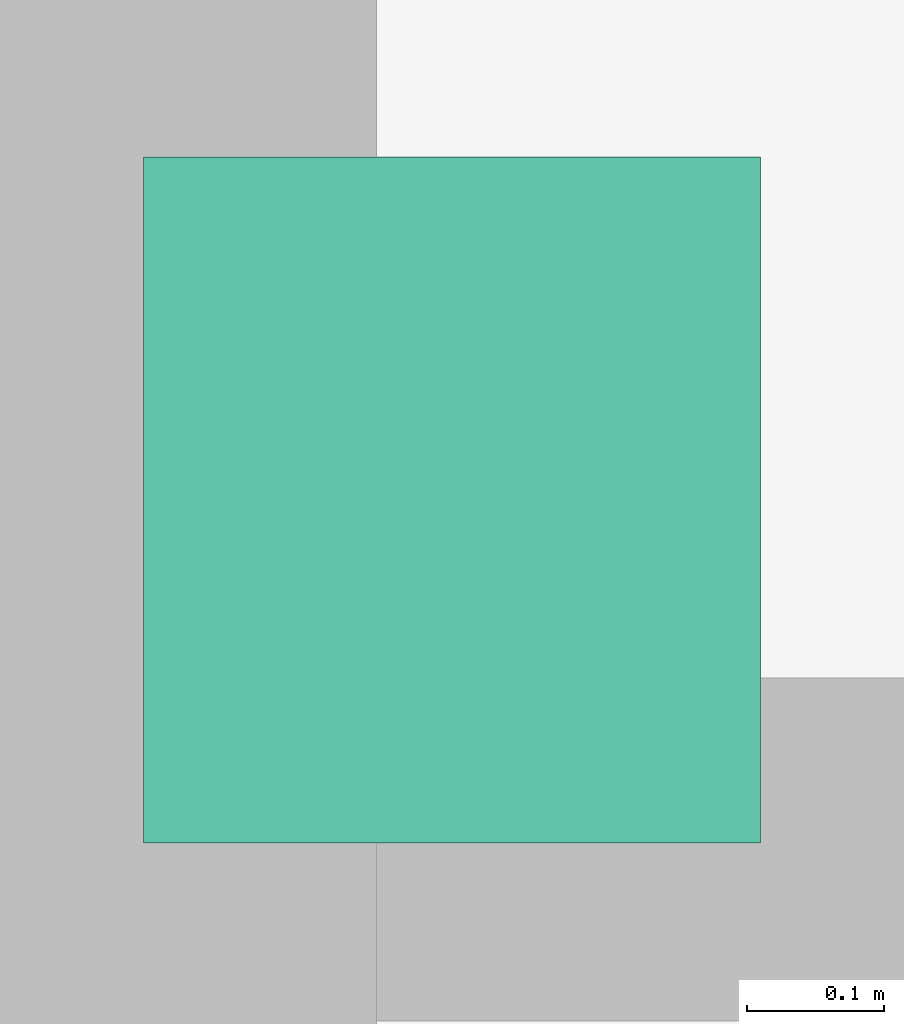
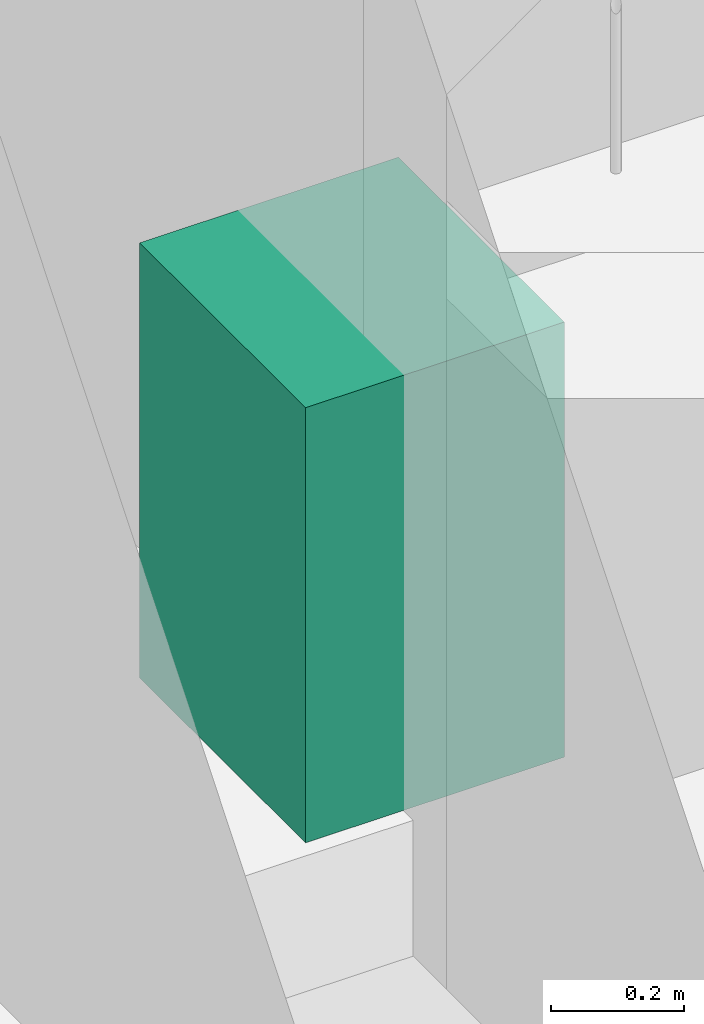
# One storey, part 25 of 26: 1 sanitary terminal.
"""IFC4 building model written with IfcOpenShell, lengths in metres."""

import ifcopenshell
import ifcopenshell.guid

model = None  # the IFC model being written
_history = None  # IfcOwnerHistory: only IFC2X3 demands one
_inside = {}  # id of a spatial element -> (the spatial element, [elements in it])
_under = {}  # id of a project, library or spatial element -> (it, [spatial elements below it])
_declared = {}  # id of a project -> (the project, [libraries it declares])
_typed = {}  # id of a type object -> (the type object, [elements of that type])
_made_of = {}  # id of a material, layer set ... -> (it, [elements and type objects made of it])


def new_model(schema):
    """Start an empty IFC model of exactly this schema.

    Asked for "IFC4X3", IfcOpenShell would pick the latest addendum, in which some entities
    have other attributes; the version numbers below select the first issue.
    IFC2X3 requires an IfcOwnerHistory on every rooted entity: one is made here for all.
    """
    global model, _history
    if schema == "IFC4X3":
        model = ifcopenshell.file(schema_version=(4, 3, 0, 0))
    else:
        model = ifcopenshell.file(schema=schema)
    _inside.clear()
    _under.clear()
    _declared.clear()
    _typed.clear()
    _made_of.clear()
    _history = None
    if model.schema == "IFC2X3":
        org = make("IfcOrganization", Name="unknown")
        user = make(
            "IfcPersonAndOrganization",
            ThePerson=make("IfcPerson", FamilyName="unknown"),
            TheOrganization=org,
        )
        app = make(
            "IfcApplication",
            ApplicationDeveloper=org,
            Version="unknown",
            ApplicationFullName="unknown",
            ApplicationIdentifier="unknown",
        )
        _history = make(
            "IfcOwnerHistory",
            OwningUser=user,
            OwningApplication=app,
            ChangeAction="ADDED",
            CreationDate=0,
        )
    return model


def make(cls, **values):
    """One entity of the class cls with the attributes given. An attribute that is None is left unset."""
    return model.create_entity(
        cls, **{name: value for name, value in values.items() if value is not None}
    )


def rooted(cls, **values):
    """An entity with a GlobalId (a new one), such as an element, a storey or a relation."""
    return make(cls, GlobalId=ifcopenshell.guid.new(), OwnerHistory=_history, **values)


def si_unit(unit_type, name, prefix=None):
    """IfcSIUnit, for example si_unit("LENGTHUNIT", "METRE", prefix="MILLI")."""
    return make("IfcSIUnit", UnitType=unit_type, Prefix=prefix, Name=name)


def assignment(units):
    """IfcUnitAssignment: the units of a project."""
    return None if units is None else make("IfcUnitAssignment", Units=units)


def point(xyz):
    """IfcCartesianPoint."""
    return None if xyz is None else make("IfcCartesianPoint", Coordinates=xyz)


def direction(xyz):
    """IfcDirection."""
    return None if xyz is None else make("IfcDirection", DirectionRatios=xyz)


def frame(location, z_axis=None, x_axis=None):
    """IfcAxis2Placement3D, a coordinate frame: its origin and axes. An axis left out is left unset."""
    return make(
        "IfcAxis2Placement3D",
        Location=point(location),
        Axis=direction(z_axis),
        RefDirection=direction(x_axis),
    )


def frame_2d(location, x_axis=None):
    """IfcAxis2Placement2D, a coordinate frame in the plane: its origin and x axis."""
    return make(
        "IfcAxis2Placement2D", Location=point(location), RefDirection=direction(x_axis)
    )


def origin():
    """The frame at (0, 0, 0) with its axes left unset."""
    return frame((0.0, 0.0, 0.0))


def origin_2d():
    """The frame at (0, 0) in the plane with its x axis left unset."""
    return frame_2d((0.0, 0.0))


def place(relative_to, where):
    """IfcLocalPlacement: puts the frame where relative to a parent placement (None: the world)."""
    return make(
        "IfcLocalPlacement", PlacementRelTo=relative_to, RelativePlacement=where
    )


def context(
    kind, dimensions, precision=None, world=None, true_north=None, identifier=None
):
    """IfcGeometricRepresentationContext, for example the 3D "Model" context."""
    return make(
        "IfcGeometricRepresentationContext",
        ContextIdentifier=identifier,
        ContextType=kind,
        CoordinateSpaceDimension=dimensions,
        Precision=precision,
        WorldCoordinateSystem=world,
        TrueNorth=true_north,
    )


def subcontext(parent, identifier, kind, view, scale=None):
    """IfcGeometricRepresentationSubContext, for example "Body" below "Model"."""
    return make(
        "IfcGeometricRepresentationSubContext",
        ContextIdentifier=identifier,
        ContextType=kind,
        ParentContext=parent,
        TargetScale=scale,
        TargetView=view,
    )


def project(units=None, contexts=None):
    """IfcProject with its units and contexts."""
    return rooted(
        "IfcProject",
        Name="project",
        RepresentationContexts=contexts,
        UnitsInContext=assignment(units),
    )


def spatial(cls, under=None, at=None, **own):
    """A site, building, storey or space (cls), placed at a placement, below another one or the project."""
    s = rooted(cls, ObjectPlacement=at, **own)
    if under is not None:
        _under.setdefault(under.id(), (under, []))[1].append(s)
    return s


def profile(cls, at=None, kind="AREA", **sizes):
    """A parametric profile (cls). Its sizes go by their IFC names, for example OverallWidth=200.0."""
    return make(cls, ProfileType=kind, Position=at, **sizes)


def rectangle(**sizes):
    """IfcRectangleProfileDef."""
    return profile("IfcRectangleProfileDef", **sizes)


def extrude(swept, where, along, depth):
    """IfcExtrudedAreaSolid: the profile swept, set in the frame where, extruded along a direction by depth."""
    return make(
        "IfcExtrudedAreaSolid",
        SweptArea=swept,
        Position=where,
        ExtrudedDirection=direction(along),
        Depth=depth,
    )


def shape(context_of_items, identifier, shape_type, items):
    """IfcShapeRepresentation: the items that make up one representation, for example the "Body"."""
    return make(
        "IfcShapeRepresentation",
        ContextOfItems=context_of_items,
        RepresentationIdentifier=identifier,
        RepresentationType=shape_type,
        Items=items,
    )


def material(Name=None, Category=None):
    """IfcMaterial."""
    return make("IfcMaterial", Name=Name, Category=Category)


def made_of(thing, what):
    """Note that an element or type object is made of a material, layer set ...; save() writes the relation."""
    if what is not None:
        _made_of.setdefault(what.id(), (what, []))[1].append(thing)
    return thing


def type_object(cls, material=None, **own):
    """A type object (cls), such as IfcWallType, which elements share."""
    return made_of(rooted(cls, **own), material)


def element(
    cls,
    number,
    at=None,
    inside=None,
    cuts=None,
    type_object=None,
    material=None,
    context=None,
    identifier="Body",
    shape_type=None,
    held_by="IfcProductDefinitionShape",
    body=None,
    shapes=None,
    **own,
):
    """One element of the class cls, such as IfcWall. Its Tag is "e" and its number.

    at: its placement. inside: the storey or other place that contains it. cuts: it is an
    opening in that element (IfcRelVoidsElement). A single representation is given by context,
    identifier, shape_type and body (its items); several are given by shapes. held_by: the class
    of the entity that holds the representations. save() writes the other relations.
    """
    e = rooted(cls, Tag="e%d" % number, ObjectPlacement=at, **own)
    if body is not None:
        shapes = [shape(context, identifier, shape_type, body)]
    if shapes is not None:
        e.Representation = make(held_by, Representations=shapes)
    if inside is not None:
        _inside.setdefault(inside.id(), (inside, []))[1].append(e)
    if cuts is not None:
        rooted(
            "IfcRelVoidsElement", RelatingBuildingElement=cuts, RelatedOpeningElement=e
        )
    if type_object is not None:
        _typed.setdefault(type_object.id(), (type_object, []))[1].append(e)
    return made_of(e, material)


def aggregate(whole, parts):
    """IfcRelAggregates: a whole, such as a stair, and the parts it consists of."""
    return rooted("IfcRelAggregates", RelatingObject=whole, RelatedObjects=parts)


def save(model, path):
    """Write the relations noted so far, then the file.

    IfcRelAggregates (storeys below a building ...), IfcRelContainedInSpatialStructure (elements
    in a storey), IfcRelDefinesByType, IfcRelAssociatesMaterial and IfcRelDeclares: one each for
    every whole, place, type object, material and project.
    """
    for whole, parts in _under.values():
        aggregate(whole, parts)
    for where, things in _inside.values():
        rooted(
            "IfcRelContainedInSpatialStructure",
            RelatedElements=things,
            RelatingStructure=where,
        )
    for kind, things in _typed.values():
        rooted("IfcRelDefinesByType", RelatedObjects=things, RelatingType=kind)
    for what, things in _made_of.values():
        rooted("IfcRelAssociatesMaterial", RelatedObjects=things, RelatingMaterial=what)
    for by, libraries in _declared.values():
        rooted("IfcRelDeclares", RelatingContext=by, RelatedDefinitions=libraries)
    model.write(path)


model = new_model("IFC4")

# Units and contexts
model_context = context("Model", 3, precision=1e-05, world=origin(), true_north=direction((0.0, 1.0)))
body_context = subcontext(model_context, "Body", "Model", "MODEL_VIEW")
ifc_project = project(units=[si_unit("LENGTHUNIT", "METRE"), si_unit("AREAUNIT", "SQUARE_METRE"), si_unit("VOLUMEUNIT", "CUBIC_METRE"), si_unit("PLANEANGLEUNIT", "RADIAN"), si_unit("MASSUNIT", "GRAM", prefix="KILO")], contexts=[model_context])

# Site, building, storey
site_placement = place(None, origin())
site = spatial("IfcSite", under=ifc_project, at=site_placement, CompositionType="ELEMENT")
building_placement = place(site_placement, origin())
building = spatial("IfcBuilding", under=site, at=building_placement, Name="Rulbaag Community and Learning Centre", CompositionType="ELEMENT")
storey_placement = place(building_placement, frame((0.0, 0.0, -9.60009765625)))
storey = spatial("IfcBuildingStorey", under=building, at=storey_placement, Name="B2", CompositionType="ELEMENT", Elevation=-9.60009765625)

# Sanitary terminal
ifc_material = material(Name="Stainless steel", Category="steel")
sanitary_terminal_type = type_object("IfcSanitaryTerminalType", Name="SK-CL-500", PredefinedType="SINK", material=ifc_material)
sanitary_terminal_placement = place(storey_placement, frame((143.155029296875, 100.3798828125, 0.0), z_axis=(0.0, 0.0, 1.0), x_axis=(1.0, 0.0, 0.0)))
element("IfcSanitaryTerminal", 1, at=sanitary_terminal_placement, inside=storey, type_object=sanitary_terminal_type, Name="Sink 01", PredefinedType="SINK", context=body_context, shape_type="SweptSolid", body=[
    extrude(rectangle(XDim=0.449951171875, YDim=0.5, at=origin_2d()), origin(), (0.0, 0.0, 1.0), 0.800048828125),
])

save(model, "model.ifc")
